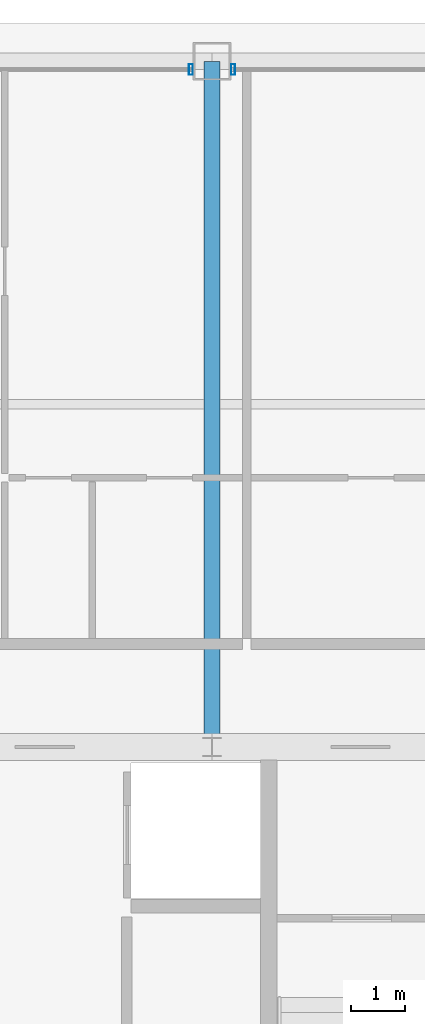
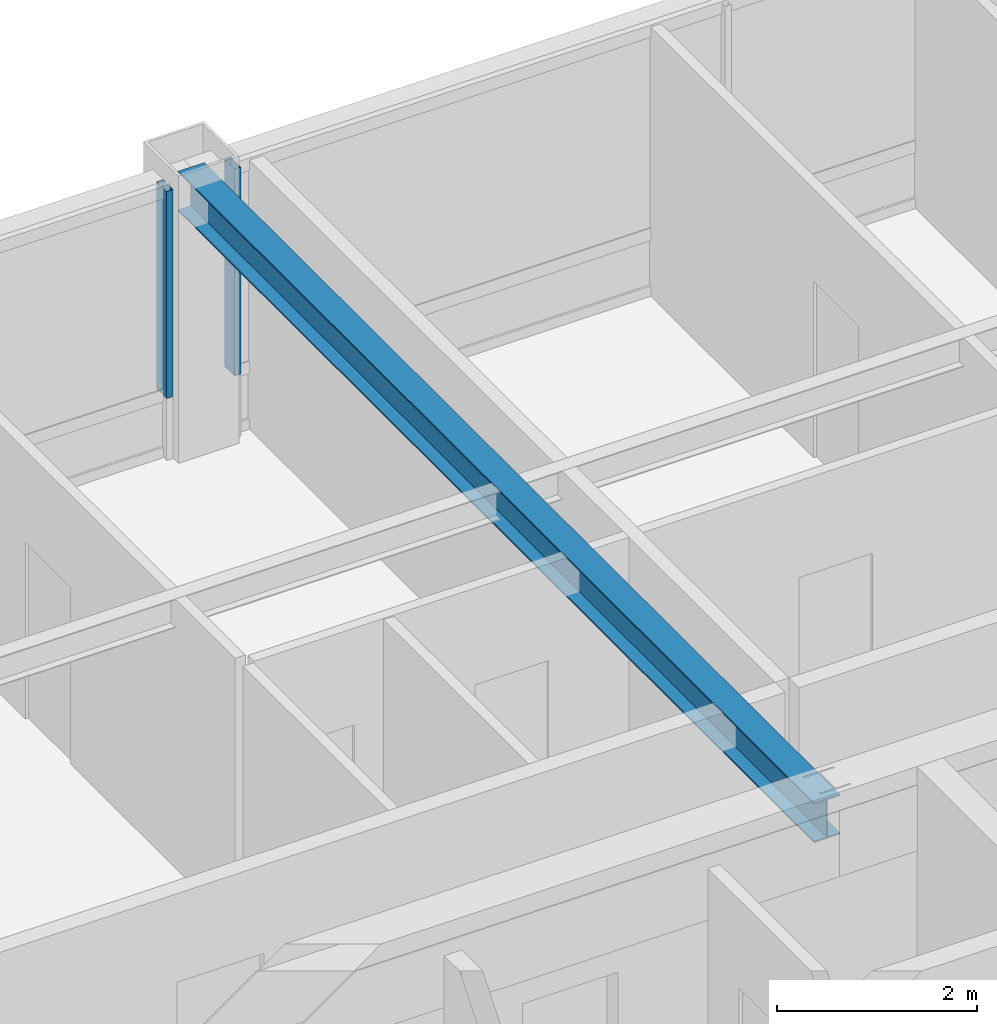
# One storey, part 16 of 33: 2 members, 1 beam, 2 elements without a shape of their own.
"""IFC4 building model written with IfcOpenShell, lengths in metres."""

from ifc_helpers import new_model, si_unit, direction, frame, origin, origin_2d, place, context, subcontext, project, spatial, hollow_rectangle, i_section, extrude, source, transform, mapped, material, layer, layer_set, material_profile, profile_set, type_object, element, aggregate, save


model = new_model("IFC4")

# Units and contexts
model_context = context("Model", 3, precision=1e-05, world=origin(), true_north=direction((0.0, 1.0)))
body_context = subcontext(model_context, "Body", "Model", "MODEL_VIEW")
ifc_project = project(units=[si_unit("LENGTHUNIT", "METRE"), si_unit("AREAUNIT", "SQUARE_METRE"), si_unit("VOLUMEUNIT", "CUBIC_METRE"), si_unit("PLANEANGLEUNIT", "RADIAN"), si_unit("MASSUNIT", "GRAM", prefix="KILO"), si_unit("THERMODYNAMICTEMPERATUREUNIT", "KELVIN"), si_unit("POWERUNIT", "WATT")], contexts=[model_context])

# Site, building, storey
site_placement = place(None, origin())
site = spatial("IfcSite", under=ifc_project, at=site_placement, CompositionType="ELEMENT")
building_placement = place(site_placement, origin())
building = spatial("IfcBuilding", under=site, at=building_placement, Name="Yuzanri Waterfront Tower", CompositionType="ELEMENT")
storey_placement = place(building_placement, frame((0.0, 0.0, 292.60009765625)))
storey = spatial("IfcBuildingStorey", under=building, at=storey_placement, Name="L78", CompositionType="ELEMENT", Elevation=292.60009765625)

# Beam
ifc_material_1 = material(Name="Steel Q355B", Category="steel")
ifc_material_profile_1 = material_profile(ifc_material_1, i_section(OverallWidth=0.300048828125, OverallDepth=0.488037109375, WebThickness=0.010986328125, FlangeThickness=0.01806640625, at=origin_2d()), Name="HM 488x300x11x18")
ifc_profile_set_1 = profile_set([ifc_material_profile_1], Name="Steel Q355B")
beam_type = type_object("IfcBeamType", Name="Primary Floor Girder Q355B HM 488x300", PredefinedType="BEAM", material=ifc_profile_set_1)
shared_shape_1 = source(origin(), body_context, "Body", "SweptSolid", [
    extrude(i_section(OverallWidth=0.300048828125, OverallDepth=0.488037109375, WebThickness=0.010986328125, FlangeThickness=0.01806640625, at=origin_2d()), origin(), (0.0, 0.0, 1.0), 12.699951171875),
])
beam_placement = place(storey_placement, frame((37.0, 32.199951171875, 3.035888671875), z_axis=(0.0, 1.0, 0.0), x_axis=(-1.0, 0.0, 0.0)))
element("IfcBeam", 1, at=beam_placement, inside=storey, type_object=beam_type, Name="L78 North Grid Girder", PredefinedType="BEAM", context=body_context, shape_type="MappedRepresentation", body=[
    mapped(shared_shape_1, transform((0.0, 0.0, 0.0), scale=1.0)),
])

# Curtain wall, member
ifc_material_2 = material(Name="Anodized Architectural Bronze", Category="metal")
ifc_layer = layer(ifc_material_2, 0.159912109375)
ifc_layer_set = layer_set([ifc_layer], Name="Anodized Architectural Bronze")
curtain_wall_type = type_object("IfcCurtainWallType", Name="Anodized Bronze High-Rise Penthouse High-Wind Unitized Curtain Wall 6900", PredefinedType="NOTDEFINED", material=ifc_layer_set)
curtain_wall_1_placement = place(storey_placement, origin())
curtain_wall_1 = element("IfcCurtainWall", 2, at=curtain_wall_1_placement, inside=storey, type_object=curtain_wall_type, Name="L78 Curtain Wall CW-L78-NL", PredefinedType="NOTDEFINED")
ifc_material_3 = material(Name="Anodized Architectural Bronze", Category="metal")
ifc_material_profile_2 = material_profile(ifc_material_3, hollow_rectangle(XDim=0.074951171875, YDim=0.199951171875, WallThickness=0.00390625, at=origin_2d()), Name="CWM 75x200")
ifc_profile_set_2 = profile_set([ifc_material_profile_2], Name="Anodized Architectural Bronze")
member_type = type_object("IfcMemberType", Name="Anodized Bronze Primary Curtain-Wall Mullion 75x200", PredefinedType="MULLION", material=ifc_profile_set_2)
shared_shape_2 = source(origin(), body_context, "Body", "SweptSolid", [
    extrude(hollow_rectangle(XDim=0.074951171875, YDim=0.199951171875, WallThickness=0.00390625, at=origin_2d()), origin(), (0.0, 0.0, 1.0), 2.52392578125),
])
member_1_placement = place(storey_placement, frame((36.610107421875, 44.75, 0.755859375), z_axis=(0.0, 0.0, 1.0), x_axis=(1.0, 0.0, 0.0)))
member_1 = element("IfcMember", 3, at=member_1_placement, type_object=member_type, Name="CW-L78-NL Upper Mullion 02", PredefinedType="MULLION", context=body_context, shape_type="MappedRepresentation", body=[
    mapped(shared_shape_2, transform((0.0, 0.0, 0.0), scale=1.0)),
])
aggregate(curtain_wall_1, [member_1])

curtain_wall_2_placement = place(storey_placement, origin())
curtain_wall_2 = element("IfcCurtainWall", 4, at=curtain_wall_2_placement, inside=storey, type_object=curtain_wall_type, Name="L78 Curtain Wall CW-L78-NR", PredefinedType="NOTDEFINED")
member_2_placement = place(storey_placement, frame((37.389892578125, 44.75, 0.755859375), z_axis=(0.0, 0.0, 1.0), x_axis=(1.0, 0.0, 0.0)))
member_2 = element("IfcMember", 5, at=member_2_placement, type_object=member_type, Name="CW-L78-NR Upper Mullion 00", PredefinedType="MULLION", context=body_context, shape_type="MappedRepresentation", body=[
    mapped(shared_shape_2, transform((0.0, 0.0, 0.0), scale=1.0)),
])
aggregate(curtain_wall_2, [member_2])

save(model, "model.ifc")
